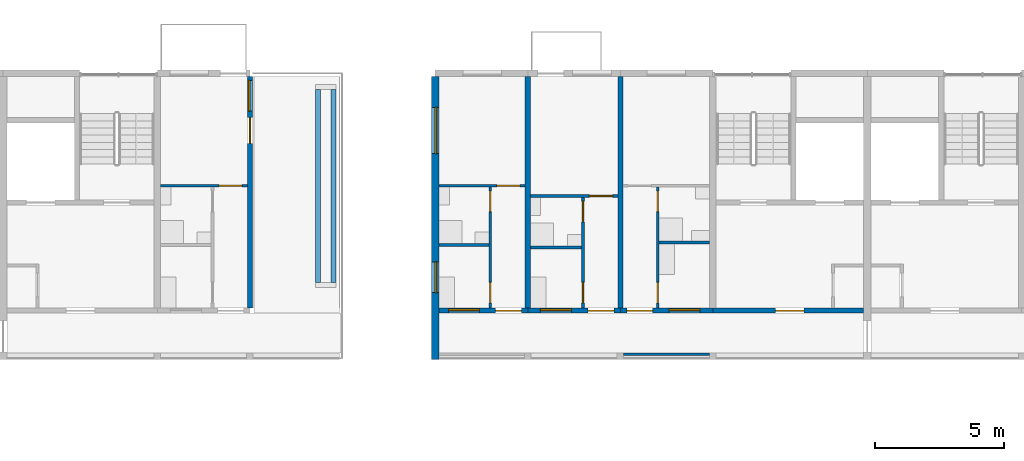
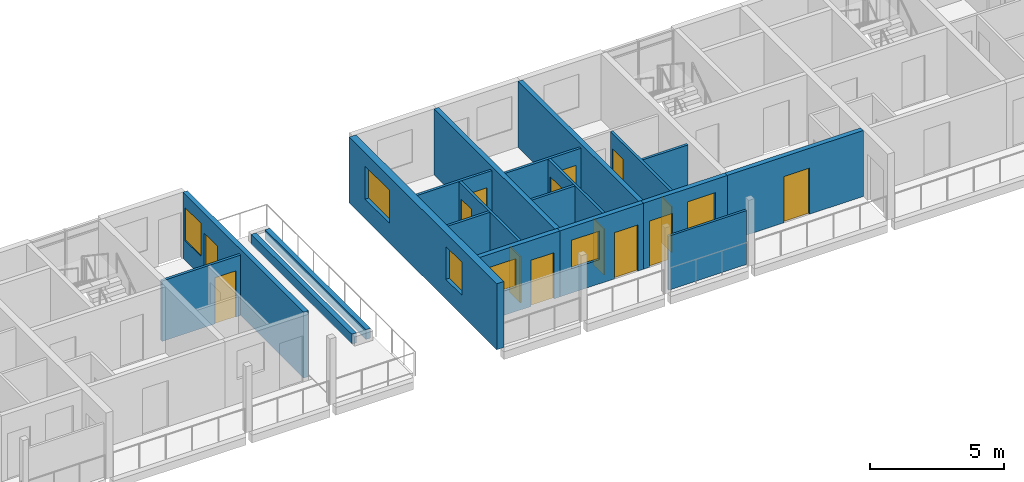
# One storey, part 56 of 94: 20 walls, 14 doors, 6 windows, 20 openings.
"""IFC4 building model written with IfcOpenShell, lengths in metres."""

from ifc_helpers import new_model, si_unit, direction, frame, frame_2d, origin, place, context, subcontext, project, spatial, rectangle, extrude, material, layer, layer_set, type_object, element, fill, save


model = new_model("IFC4")

# Units and contexts
model_context = context("Model", 3, precision=1e-05, world=origin(), true_north=direction((0.0, 1.0)))
body_context = subcontext(model_context, "Body", "Model", "MODEL_VIEW")
ifc_project = project(units=[si_unit("LENGTHUNIT", "METRE"), si_unit("AREAUNIT", "SQUARE_METRE"), si_unit("VOLUMEUNIT", "CUBIC_METRE"), si_unit("PLANEANGLEUNIT", "RADIAN"), si_unit("MASSUNIT", "GRAM", prefix="KILO")], contexts=[model_context])

# Site, building, storey
site_placement = place(None, origin())
site = spatial("IfcSite", under=ifc_project, at=site_placement, CompositionType="ELEMENT")
building_placement = place(site_placement, origin())
building = spatial("IfcBuilding", under=site, at=building_placement, Name="Ridgestep Commons", CompositionType="ELEMENT")
storey_placement = place(building_placement, frame((0.0, 0.0, 24.0)))
storey = spatial("IfcBuildingStorey", under=building, at=storey_placement, Name="L08", CompositionType="ELEMENT", Elevation=24.0)

# Wall, opening, door
ifc_material_1 = material(Name="Concrete C30/37", Category="concrete")
ifc_layer_1 = layer(ifc_material_1, 0.199951171875)
ifc_layer_set_1 = layer_set([ifc_layer_1], Name="Core south wall 200")
wall_type_1 = type_object("IfcWallType", Name="Core south wall 200", PredefinedType="SHEAR", material=ifc_layer_set_1)
wall_1_placement = place(storey_placement, frame((224.800048828125, 67.89990234375, 0.0), z_axis=(0.0, 0.0, 1.0), x_axis=(1.0, 0.0, 0.0)))
wall_1 = element("IfcWall", 1, at=wall_1_placement, inside=storey, type_object=wall_type_1, Name="Core south wall C5C L08", PredefinedType="SHEAR", context=body_context, shape_type="SweptSolid", body=[
    extrude(rectangle(XDim=5.849853515625, YDim=0.199951171875, at=frame_2d((2.9248046875, 0.0))), origin(), (0.0, 0.0, 1.0), 3.0),
])
opening_1_placement = place(wall_1_placement, frame((2.4375, 0.0, 0.0)))
opening_1 = element("IfcOpeningElement", 2, at=opening_1_placement, cuts=wall_1, Name="Opening C5C/08/1", PredefinedType="OPENING", context=body_context, shape_type="SweptSolid", body=[
    extrude(rectangle(XDim=1.10009765625, YDim=2.10009765625, at=frame_2d((0.550048828125, 1.050048828125))), frame((0.0, 0.10986328125, 0.0), z_axis=(0.0, -1.0, 0.0), x_axis=(1.0, 0.0, 0.0)), (0.0, 0.0, 1.0), 0.219970703125),
])
ifc_material_2 = material(Name="Steel fire door", Category="steel")
door_type_1 = type_object("IfcDoorType", Name="Lobby door 1100 x 2100 FD60", OperationType="NOTDEFINED", PredefinedType="DOOR", material=ifc_material_2)
door_1_placement = place(opening_1_placement, origin())
door_1 = element("IfcDoor", 3, at=door_1_placement, inside=storey, type_object=door_type_1, Name="Lobby door C5C/08/1", OperationType="SINGLE_SWING_LEFT", OverallHeight=2.10009765625, OverallWidth=1.10009765625, PredefinedType="DOOR", context=body_context, shape_type="SweptSolid", body=[
    extrude(rectangle(XDim=1.10009765625, YDim=2.10009765625, at=frame_2d((0.550048828125, 1.050048828125))), frame((0.0, 0.02490234375, 0.0), z_axis=(0.0, -1.0, 0.0), x_axis=(1.0, 0.0, 0.0)), (0.0, 0.0, 1.0), 0.050048828125),
])
fill(opening_1, door_1)

# Walls
ifc_material_3 = material(Name="Precast concrete C40/50", Category="concrete")
ifc_layer_2 = layer(ifc_material_3, 0.199951171875)
ifc_layer_set_2 = layer_set([ifc_layer_2], Name="Cross wall 200")
wall_type_2 = type_object("IfcWallType", Name="Cross wall 200", PredefinedType="SHEAR", material=ifc_layer_set_2)
for number, where, z_axis, x_axis, name in (
    (4, (217.60009765625, 68.0, 0.0), (0.0, 0.0, 1.0), (0.0, 1.0, 0.0), "Cross wall C-08-2176"),
    (5, (221.199951171875, 68.0, 0.0), (0.0, 0.0, 1.0), (0.0, 1.0, 0.0), "Cross wall C-08-2212"),
):
    element("IfcWall", number, at=place(storey_placement, frame(where, z_axis=z_axis, x_axis=x_axis)), inside=storey, type_object=wall_type_2, Name=name, PredefinedType="SHEAR", context=body_context, shape_type="SweptSolid", body=[
        extrude(rectangle(XDim=9.0, YDim=0.199951171875, at=frame_2d((4.5, 0.0))), origin(), (0.0, 0.0, 1.0), 3.0),
    ])

# Wall, openings, window, door
ifc_material_4 = material(Name="Precast concrete C40/50", Category="concrete")
ifc_layer_3 = layer(ifc_material_4, 0.199951171875)
ifc_layer_set_3 = layer_set([ifc_layer_3], Name="Exposed cross wall 200")
wall_type_3 = type_object("IfcWallType", Name="Exposed cross wall 200", PredefinedType="SHEAR", material=ifc_layer_set_3)
wall_2_placement = place(storey_placement, frame((206.800048828125, 68.0, 0.0), z_axis=(0.0, 0.0, 1.0), x_axis=(0.0, 1.0, 0.0)))
wall_2 = element("IfcWall", 6, at=wall_2_placement, inside=storey, type_object=wall_type_3, Name="Cross wall C-08-2068", PredefinedType="SHEAR", context=body_context, shape_type="SweptSolid", body=[
    extrude(rectangle(XDim=9.0, YDim=0.199951171875, at=frame_2d((4.5, 0.0))), origin(), (0.0, 0.0, 1.0), 3.0),
])
opening_2_placement = place(wall_2_placement, frame((7.652587890625, 0.0, 0.89990234375)))
opening_2 = element("IfcOpeningElement", 7, at=opening_2_placement, cuts=wall_2, Name="Opening W10", PredefinedType="OPENING", context=body_context, shape_type="SweptSolid", body=[
    extrude(rectangle(XDim=1.199951171875, YDim=1.5, at=frame_2d((0.60009765625, 0.75))), frame((0.0, 0.10986328125, 0.0), z_axis=(0.0, -1.0, 0.0), x_axis=(1.0, 0.0, 0.0)), (0.0, 0.0, 1.0), 0.219970703125),
])
opening_3_placement = place(wall_2_placement, frame((6.405029296875, 0.0, 0.0)))
opening_3 = element("IfcOpeningElement", 8, at=opening_3_placement, cuts=wall_2, Name="Opening C4-08a/5", PredefinedType="OPENING", context=body_context, shape_type="SweptSolid", body=[
    extrude(rectangle(XDim=1.0, YDim=2.10009765625, at=frame_2d((0.5, 1.050048828125))), frame((0.0, 0.10986328125, 0.0), z_axis=(0.0, -1.0, 0.0), x_axis=(1.0, 0.0, 0.0)), (0.0, 0.0, 1.0), 0.219970703125),
])
ifc_material_5 = material(Name="Aluminium 6063-T6 and glass", Category="aluminium")
window_type_1 = type_object("IfcWindowType", Name="Flat window 1200 x 1500", PartitioningType="SINGLE_PANEL", PredefinedType="WINDOW", material=ifc_material_5)
window_1_placement = place(opening_2_placement, origin())
window_1 = element("IfcWindow", 9, at=window_1_placement, inside=storey, type_object=window_type_1, Name="Window C4-08a 3", OverallHeight=1.5, OverallWidth=1.199951171875, PartitioningType="SINGLE_PANEL", PredefinedType="WINDOW", context=body_context, shape_type="SweptSolid", body=[
    extrude(rectangle(XDim=1.199951171875, YDim=1.5, at=frame_2d((0.60009765625, 0.75))), frame((0.0, 0.06005859375, 0.0), z_axis=(0.0, -1.0, 0.0), x_axis=(1.0, 0.0, 0.0)), (0.0, 0.0, 1.0), 0.06005859375),
])
fill(opening_2, window_1)
ifc_material_6 = material(Name="Aluminium and glass", Category="aluminium")
door_type_2 = type_object("IfcDoorType", Name="Terrace door 1000 x 2100", OperationType="NOTDEFINED", PredefinedType="DOOR", material=ifc_material_6)
door_2_placement = place(opening_3_placement, origin())
door_2 = element("IfcDoor", 10, at=door_2_placement, inside=storey, type_object=door_type_2, Name="Terrace door C4-08a/5", OperationType="SINGLE_SWING_LEFT", OverallHeight=2.10009765625, OverallWidth=1.0, PredefinedType="DOOR", context=body_context, shape_type="SweptSolid", body=[
    extrude(rectangle(XDim=1.0, YDim=2.10009765625, at=frame_2d((0.5, 1.050048828125))), frame((0.0, 0.02490234375, 0.0), z_axis=(0.0, -1.0, 0.0), x_axis=(1.0, 0.0, 0.0)), (0.0, 0.0, 1.0), 0.050048828125),
])
fill(opening_3, door_2)

# Wall, openings, windows
ifc_material_7 = material(Name="Precast concrete C40/50", Category="concrete")
ifc_layer_4 = layer(ifc_material_7, 0.300048828125)
ifc_layer_set_4 = layer_set([ifc_layer_4], Name="Exposed division wall 300")
wall_type_4 = type_object("IfcWallType", Name="Exposed division wall 300", PredefinedType="SHEAR", material=ifc_layer_set_4)
wall_3_placement = place(storey_placement, frame((214.0, 66.0, 0.0), z_axis=(0.0, 0.0, 1.0), x_axis=(0.0, 1.0, 0.0)))
wall_3 = element("IfcWall", 11, at=wall_3_placement, inside=storey, type_object=wall_type_4, Name="Cross wall C-08-2140", PredefinedType="SHEAR", context=body_context, shape_type="SweptSolid", body=[
    extrude(rectangle(XDim=11.0, YDim=0.300048828125, at=frame_2d((5.5, 0.0))), origin(), (0.0, 0.0, 1.0), 3.0),
])
opening_4_placement = place(wall_3_placement, frame((2.60009765625, 0.0, 0.89990234375)))
opening_4 = element("IfcOpeningElement", 12, at=opening_4_placement, cuts=wall_3, Name="Opening W10", PredefinedType="OPENING", context=body_context, shape_type="SweptSolid", body=[
    extrude(rectangle(XDim=1.199951171875, YDim=1.5, at=frame_2d((0.60009765625, 0.75))), frame((0.0, 0.159912109375, 0.0), z_axis=(0.0, -1.0, 0.0), x_axis=(1.0, 0.0, 0.0)), (0.0, 0.0, 1.0), 0.320068359375),
])
opening_5_placement = place(wall_3_placement, frame((8.0048828125, 0.0, 0.89990234375)))
opening_5 = element("IfcOpeningElement", 13, at=opening_5_placement, cuts=wall_3, Name="Opening W20", PredefinedType="OPENING", context=body_context, shape_type="SweptSolid", body=[
    extrude(rectangle(XDim=1.800048828125, YDim=1.5, at=frame_2d((0.89990234375, 0.75))), frame((0.0, 0.159912109375, 0.0), z_axis=(0.0, -1.0, 0.0), x_axis=(1.0, 0.0, 0.0)), (0.0, 0.0, 1.0), 0.320068359375),
])
window_2_placement = place(opening_4_placement, origin())
window_2 = element("IfcWindow", 14, at=window_2_placement, inside=storey, type_object=window_type_1, Name="Window C5-08a 3", OverallHeight=1.5, OverallWidth=1.199951171875, PartitioningType="SINGLE_PANEL", PredefinedType="WINDOW", context=body_context, shape_type="SweptSolid", body=[
    extrude(rectangle(XDim=1.199951171875, YDim=1.5, at=frame_2d((0.60009765625, 0.75))), frame((0.0, 0.0, 0.0), z_axis=(0.0, -1.0, 0.0), x_axis=(1.0, 0.0, 0.0)), (0.0, 0.0, 1.0), 0.06005859375),
])
fill(opening_4, window_2)
ifc_material_8 = material(Name="Aluminium 6063-T6 and glass", Category="aluminium")
window_type_2 = type_object("IfcWindowType", Name="Flat window 1800 x 1500", PartitioningType="DOUBLE_PANEL_VERTICAL", PredefinedType="WINDOW", material=ifc_material_8)
window_3_placement = place(opening_5_placement, origin())
window_3 = element("IfcWindow", 15, at=window_3_placement, inside=storey, type_object=window_type_2, Name="Window C5-08a 4", OverallHeight=1.5, OverallWidth=1.800048828125, PartitioningType="SINGLE_PANEL", PredefinedType="WINDOW", context=body_context, shape_type="SweptSolid", body=[
    extrude(rectangle(XDim=1.800048828125, YDim=1.5, at=frame_2d((0.89990234375, 0.75))), frame((0.0, 0.0, 0.0), z_axis=(0.0, -1.0, 0.0), x_axis=(1.0, 0.0, 0.0)), (0.0, 0.0, 1.0), 0.06005859375),
])
fill(opening_5, window_3)

# Wall, opening, door
ifc_material_9 = material(Name="Common brick 110 mm", Category="masonry")
ifc_layer_5 = layer(ifc_material_9, 0.110107421875)
ifc_layer_set_5 = layer_set([ifc_layer_5], Name="Partition 110")
wall_type_5 = type_object("IfcWallType", Name="Partition 110", PredefinedType="PARTITIONING", material=ifc_layer_set_5)
wall_4_placement = place(storey_placement, frame((203.324951171875, 72.7548828125, 0.0), z_axis=(0.0, 0.0, 1.0), x_axis=(1.0, 0.0, 0.0)))
wall_4 = element("IfcWall", 16, at=wall_4_placement, inside=storey, type_object=wall_type_5, Name="Partition C4-08a", PredefinedType="PARTITIONING", context=body_context, shape_type="SweptSolid", body=[
    extrude(rectangle(XDim=3.375, YDim=0.110107421875, at=frame_2d((1.6875, 0.0))), origin(), (0.0, 0.0, 1.0), 2.75),
])
opening_6_placement = place(wall_4_placement, frame((2.27490234375, 0.0, 0.0)))
opening_6 = element("IfcOpeningElement", 17, at=opening_6_placement, cuts=wall_4, Name="Opening C4-08a/4", PredefinedType="OPENING", context=body_context, shape_type="SweptSolid", body=[
    extrude(rectangle(XDim=0.89990234375, YDim=2.10009765625, at=frame_2d((0.449951171875, 1.050048828125))), frame((0.0, 0.06494140625, 0.0), z_axis=(0.0, -1.0, 0.0), x_axis=(1.0, 0.0, 0.0)), (0.0, 0.0, 1.0), 0.130126953125),
])
ifc_material_10 = material(Name="Timber door leaf", Category="wood")
door_type_3 = type_object("IfcDoorType", Name="Internal door 900 x 2100", OperationType="NOTDEFINED", PredefinedType="DOOR", material=ifc_material_10)
door_3_placement = place(opening_6_placement, origin())
door_3 = element("IfcDoor", 18, at=door_3_placement, inside=storey, type_object=door_type_3, Name="Internal door C4-08a/4", OperationType="SINGLE_SWING_LEFT", OverallHeight=2.10009765625, OverallWidth=0.89990234375, PredefinedType="DOOR", context=body_context, shape_type="SweptSolid", body=[
    extrude(rectangle(XDim=0.89990234375, YDim=2.10009765625, at=frame_2d((0.449951171875, 1.050048828125))), frame((0.0, 0.02490234375, 0.0), z_axis=(0.0, -1.0, 0.0), x_axis=(1.0, 0.0, 0.0)), (0.0, 0.0, 1.0), 0.050048828125),
])
fill(opening_6, door_3)

# Wall
wall_5_placement = place(storey_placement, frame((214.14990234375, 70.455078125, 0.0), z_axis=(0.0, 0.0, 1.0), x_axis=(1.0, 0.0, 0.0)))
element("IfcWall", 19, at=wall_5_placement, inside=storey, type_object=wall_type_5, Name="Partition C5-08a", PredefinedType="PARTITIONING", context=body_context, shape_type="SweptSolid", body=[
    extrude(rectangle(XDim=1.940185546875, YDim=0.110107421875, at=frame_2d((0.97021484375, 0.0))), origin(), (0.0, 0.0, 1.0), 2.800048828125),
])

# Wall, openings, doors
wall_6_placement = place(storey_placement, frame((216.14501953125, 68.0, 0.0), z_axis=(0.0, 0.0, 1.0), x_axis=(0.0, 1.0, 0.0)))
wall_6 = element("IfcWall", 20, at=wall_6_placement, inside=storey, type_object=wall_type_5, Name="Partition C5-08a", PredefinedType="PARTITIONING", context=body_context, shape_type="SweptSolid", body=[
    extrude(rectangle(XDim=4.699951171875, YDim=0.110107421875, at=frame_2d((2.35009765625, 0.0))), origin(), (0.0, 0.0, 1.0), 2.800048828125),
])
opening_7_placement = place(wall_6_placement, frame((0.199951171875, 0.0, 0.0)))
opening_7 = element("IfcOpeningElement", 21, at=opening_7_placement, cuts=wall_6, Name="Opening C5-08a/2", PredefinedType="OPENING", context=body_context, shape_type="SweptSolid", body=[
    extrude(rectangle(XDim=0.800048828125, YDim=2.10009765625, at=frame_2d((0.39990234375, 1.050048828125))), frame((0.0, 0.06494140625, 0.0), z_axis=(0.0, -1.0, 0.0), x_axis=(1.0, 0.0, 0.0)), (0.0, 0.0, 1.0), 0.130126953125),
])
opening_8_placement = place(wall_6_placement, frame((3.75, 0.0, 0.0)))
opening_8 = element("IfcOpeningElement", 22, at=opening_8_placement, cuts=wall_6, Name="Opening C5-08a/3", PredefinedType="OPENING", context=body_context, shape_type="SweptSolid", body=[
    extrude(rectangle(XDim=0.800048828125, YDim=2.10009765625, at=frame_2d((0.39990234375, 1.050048828125))), frame((0.0, 0.06494140625, 0.0), z_axis=(0.0, -1.0, 0.0), x_axis=(1.0, 0.0, 0.0)), (0.0, 0.0, 1.0), 0.130126953125),
])
ifc_material_11 = material(Name="Timber door leaf", Category="wood")
door_type_4 = type_object("IfcDoorType", Name="Internal door 800 x 2100", OperationType="NOTDEFINED", PredefinedType="DOOR", material=ifc_material_11)
door_4_placement = place(opening_7_placement, origin())
door_4 = element("IfcDoor", 23, at=door_4_placement, inside=storey, type_object=door_type_4, Name="Internal door C5-08a/2", OperationType="SINGLE_SWING_LEFT", OverallHeight=2.10009765625, OverallWidth=0.800048828125, PredefinedType="DOOR", context=body_context, shape_type="SweptSolid", body=[
    extrude(rectangle(XDim=0.800048828125, YDim=2.10009765625, at=frame_2d((0.39990234375, 1.050048828125))), frame((0.0, 0.02490234375, 0.0), z_axis=(0.0, -1.0, 0.0), x_axis=(1.0, 0.0, 0.0)), (0.0, 0.0, 1.0), 0.050048828125),
])
fill(opening_7, door_4)
door_5_placement = place(opening_8_placement, origin())
door_5 = element("IfcDoor", 24, at=door_5_placement, inside=storey, type_object=door_type_4, Name="Internal door C5-08a/3", OperationType="SINGLE_SWING_RIGHT", OverallHeight=2.10009765625, OverallWidth=0.800048828125, PredefinedType="DOOR", context=body_context, shape_type="SweptSolid", body=[
    extrude(rectangle(XDim=0.800048828125, YDim=2.10009765625, at=frame_2d((0.39990234375, 1.050048828125))), frame((0.0, 0.02490234375, 0.0), z_axis=(0.0, -1.0, 0.0), x_axis=(1.0, 0.0, 0.0)), (0.0, 0.0, 1.0), 0.050048828125),
])
fill(opening_8, door_5)

# Wall, opening, door
wall_7_placement = place(storey_placement, frame((214.14990234375, 72.7548828125, 0.0), z_axis=(0.0, 0.0, 1.0), x_axis=(1.0, 0.0, 0.0)))
wall_7 = element("IfcWall", 25, at=wall_7_placement, inside=storey, type_object=wall_type_5, Name="Partition C5-08a", PredefinedType="PARTITIONING", context=body_context, shape_type="SweptSolid", body=[
    extrude(rectangle(XDim=3.35009765625, YDim=0.110107421875, at=frame_2d((1.675048828125, 0.0))), origin(), (0.0, 0.0, 1.0), 2.800048828125),
])
opening_9_placement = place(wall_7_placement, frame((2.25, 0.0, 0.0)))
opening_9 = element("IfcOpeningElement", 26, at=opening_9_placement, cuts=wall_7, Name="Opening C5-08a/4", PredefinedType="OPENING", context=body_context, shape_type="SweptSolid", body=[
    extrude(rectangle(XDim=0.89990234375, YDim=2.10009765625, at=frame_2d((0.449951171875, 1.050048828125))), frame((0.0, 0.06494140625, 0.0), z_axis=(0.0, -1.0, 0.0), x_axis=(1.0, 0.0, 0.0)), (0.0, 0.0, 1.0), 0.130126953125),
])
door_6_placement = place(opening_9_placement, origin())
door_6 = element("IfcDoor", 27, at=door_6_placement, inside=storey, type_object=door_type_3, Name="Internal door C5-08a/4", OperationType="SINGLE_SWING_LEFT", OverallHeight=2.10009765625, OverallWidth=0.89990234375, PredefinedType="DOOR", context=body_context, shape_type="SweptSolid", body=[
    extrude(rectangle(XDim=0.89990234375, YDim=2.10009765625, at=frame_2d((0.449951171875, 1.050048828125))), frame((0.0, 0.02490234375, 0.0), z_axis=(0.0, -1.0, 0.0), x_axis=(1.0, 0.0, 0.0)), (0.0, 0.0, 1.0), 0.050048828125),
])
fill(opening_9, door_6)

# Wall
wall_8_placement = place(storey_placement, frame((217.699951171875, 70.35498046875, 0.0), z_axis=(0.0, 0.0, 1.0), x_axis=(1.0, 0.0, 0.0)))
element("IfcWall", 28, at=wall_8_placement, inside=storey, type_object=wall_type_5, Name="Partition C5-08b", PredefinedType="PARTITIONING", context=body_context, shape_type="SweptSolid", body=[
    extrude(rectangle(XDim=1.989990234375, YDim=0.110107421875, at=frame_2d((0.9951171875, 0.0))), origin(), (0.0, 0.0, 1.0), 2.800048828125),
])

# Wall, openings, doors
wall_9_placement = place(storey_placement, frame((219.7451171875, 68.0, 0.0), z_axis=(0.0, 0.0, 1.0), x_axis=(0.0, 1.0, 0.0)))
wall_9 = element("IfcWall", 29, at=wall_9_placement, inside=storey, type_object=wall_type_5, Name="Partition C5-08b", PredefinedType="PARTITIONING", context=body_context, shape_type="SweptSolid", body=[
    extrude(rectangle(XDim=4.300048828125, YDim=0.110107421875, at=frame_2d((2.14990234375, 0.0))), origin(), (0.0, 0.0, 1.0), 2.800048828125),
])
opening_10_placement = place(wall_9_placement, frame((0.199951171875, 0.0, 0.0)))
opening_10 = element("IfcOpeningElement", 30, at=opening_10_placement, cuts=wall_9, Name="Opening C5-08b/2", PredefinedType="OPENING", context=body_context, shape_type="SweptSolid", body=[
    extrude(rectangle(XDim=0.800048828125, YDim=2.10009765625, at=frame_2d((0.39990234375, 1.050048828125))), frame((0.0, 0.06494140625, 0.0), z_axis=(0.0, -1.0, 0.0), x_axis=(1.0, 0.0, 0.0)), (0.0, 0.0, 1.0), 0.130126953125),
])
opening_11_placement = place(wall_9_placement, frame((3.35009765625, 0.0, 0.0)))
opening_11 = element("IfcOpeningElement", 31, at=opening_11_placement, cuts=wall_9, Name="Opening C5-08b/3", PredefinedType="OPENING", context=body_context, shape_type="SweptSolid", body=[
    extrude(rectangle(XDim=0.800048828125, YDim=2.10009765625, at=frame_2d((0.39990234375, 1.050048828125))), frame((0.0, 0.06494140625, 0.0), z_axis=(0.0, -1.0, 0.0), x_axis=(1.0, 0.0, 0.0)), (0.0, 0.0, 1.0), 0.130126953125),
])
door_7_placement = place(opening_10_placement, origin())
door_7 = element("IfcDoor", 32, at=door_7_placement, inside=storey, type_object=door_type_4, Name="Internal door C5-08b/2", OperationType="SINGLE_SWING_LEFT", OverallHeight=2.10009765625, OverallWidth=0.800048828125, PredefinedType="DOOR", context=body_context, shape_type="SweptSolid", body=[
    extrude(rectangle(XDim=0.800048828125, YDim=2.10009765625, at=frame_2d((0.39990234375, 1.050048828125))), frame((0.0, 0.02490234375, 0.0), z_axis=(0.0, -1.0, 0.0), x_axis=(1.0, 0.0, 0.0)), (0.0, 0.0, 1.0), 0.050048828125),
])
fill(opening_10, door_7)
door_8_placement = place(opening_11_placement, origin())
door_8 = element("IfcDoor", 33, at=door_8_placement, inside=storey, type_object=door_type_4, Name="Internal door C5-08b/3", OperationType="SINGLE_SWING_RIGHT", OverallHeight=2.10009765625, OverallWidth=0.800048828125, PredefinedType="DOOR", context=body_context, shape_type="SweptSolid", body=[
    extrude(rectangle(XDim=0.800048828125, YDim=2.10009765625, at=frame_2d((0.39990234375, 1.050048828125))), frame((0.0, 0.02490234375, 0.0), z_axis=(0.0, -1.0, 0.0), x_axis=(1.0, 0.0, 0.0)), (0.0, 0.0, 1.0), 0.050048828125),
])
fill(opening_11, door_8)

# Wall, opening, door
wall_10_placement = place(storey_placement, frame((217.699951171875, 72.35498046875, 0.0), z_axis=(0.0, 0.0, 1.0), x_axis=(1.0, 0.0, 0.0)))
wall_10 = element("IfcWall", 34, at=wall_10_placement, inside=storey, type_object=wall_type_5, Name="Partition C5-08b", PredefinedType="PARTITIONING", context=body_context, shape_type="SweptSolid", body=[
    extrude(rectangle(XDim=3.400146484375, YDim=0.110107421875, at=frame_2d((1.7001953125, 0.0))), origin(), (0.0, 0.0, 1.0), 2.800048828125),
])
opening_12_placement = place(wall_10_placement, frame((2.300048828125, 0.0, 0.0)))
opening_12 = element("IfcOpeningElement", 35, at=opening_12_placement, cuts=wall_10, Name="Opening C5-08b/4", PredefinedType="OPENING", context=body_context, shape_type="SweptSolid", body=[
    extrude(rectangle(XDim=0.89990234375, YDim=2.10009765625, at=frame_2d((0.449951171875, 1.050048828125))), frame((0.0, 0.06494140625, 0.0), z_axis=(0.0, -1.0, 0.0), x_axis=(1.0, 0.0, 0.0)), (0.0, 0.0, 1.0), 0.130126953125),
])
door_9_placement = place(opening_12_placement, origin())
door_9 = element("IfcDoor", 36, at=door_9_placement, inside=storey, type_object=door_type_3, Name="Internal door C5-08b/4", OperationType="SINGLE_SWING_LEFT", OverallHeight=2.10009765625, OverallWidth=0.89990234375, PredefinedType="DOOR", context=body_context, shape_type="SweptSolid", body=[
    extrude(rectangle(XDim=0.89990234375, YDim=2.10009765625, at=frame_2d((0.449951171875, 1.050048828125))), frame((0.0, 0.02490234375, 0.0), z_axis=(0.0, -1.0, 0.0), x_axis=(1.0, 0.0, 0.0)), (0.0, 0.0, 1.0), 0.050048828125),
])
fill(opening_12, door_9)

# Wall, openings, doors
wall_11_placement = place(storey_placement, frame((222.655029296875, 68.0, 0.0), z_axis=(0.0, 0.0, 1.0), x_axis=(0.0, 1.0, 0.0)))
wall_11 = element("IfcWall", 37, at=wall_11_placement, inside=storey, type_object=wall_type_5, Name="Partition C5-08c", PredefinedType="PARTITIONING", context=body_context, shape_type="SweptSolid", body=[
    extrude(rectangle(XDim=4.699951171875, YDim=0.110107421875, at=frame_2d((2.35009765625, 0.0))), origin(), (0.0, 0.0, 1.0), 2.800048828125),
])
opening_13_placement = place(wall_11_placement, frame((0.199951171875, 0.0, 0.0)))
opening_13 = element("IfcOpeningElement", 38, at=opening_13_placement, cuts=wall_11, Name="Opening C5-08c/2", PredefinedType="OPENING", context=body_context, shape_type="SweptSolid", body=[
    extrude(rectangle(XDim=0.800048828125, YDim=2.10009765625, at=frame_2d((0.39990234375, 1.050048828125))), frame((0.0, 0.06494140625, 0.0), z_axis=(0.0, -1.0, 0.0), x_axis=(1.0, 0.0, 0.0)), (0.0, 0.0, 1.0), 0.130126953125),
])
opening_14_placement = place(wall_11_placement, frame((3.75, 0.0, 0.0)))
opening_14 = element("IfcOpeningElement", 39, at=opening_14_placement, cuts=wall_11, Name="Opening C5-08c/3", PredefinedType="OPENING", context=body_context, shape_type="SweptSolid", body=[
    extrude(rectangle(XDim=0.800048828125, YDim=2.10009765625, at=frame_2d((0.39990234375, 1.050048828125))), frame((0.0, 0.06494140625, 0.0), z_axis=(0.0, -1.0, 0.0), x_axis=(1.0, 0.0, 0.0)), (0.0, 0.0, 1.0), 0.130126953125),
])
door_10_placement = place(opening_13_placement, origin())
door_10 = element("IfcDoor", 40, at=door_10_placement, inside=storey, type_object=door_type_4, Name="Internal door C5-08c/2", OperationType="SINGLE_SWING_RIGHT", OverallHeight=2.10009765625, OverallWidth=0.800048828125, PredefinedType="DOOR", context=body_context, shape_type="SweptSolid", body=[
    extrude(rectangle(XDim=0.800048828125, YDim=2.10009765625, at=frame_2d((0.39990234375, 1.050048828125))), frame((0.0, 0.02490234375, 0.0), z_axis=(0.0, -1.0, 0.0), x_axis=(1.0, 0.0, 0.0)), (0.0, 0.0, 1.0), 0.050048828125),
])
fill(opening_13, door_10)
door_11_placement = place(opening_14_placement, origin())
door_11 = element("IfcDoor", 41, at=door_11_placement, inside=storey, type_object=door_type_4, Name="Internal door C5-08c/3", OperationType="SINGLE_SWING_LEFT", OverallHeight=2.10009765625, OverallWidth=0.800048828125, PredefinedType="DOOR", context=body_context, shape_type="SweptSolid", body=[
    extrude(rectangle(XDim=0.800048828125, YDim=2.10009765625, at=frame_2d((0.39990234375, 1.050048828125))), frame((0.0, 0.02490234375, 0.0), z_axis=(0.0, -1.0, 0.0), x_axis=(1.0, 0.0, 0.0)), (0.0, 0.0, 1.0), 0.050048828125),
])
fill(opening_14, door_11)

# Walls
wall_12_placement = place(storey_placement, frame((222.7099609375, 70.554931640625, 0.0), z_axis=(0.0, 0.0, 1.0), x_axis=(1.0, 0.0, 0.0)))
element("IfcWall", 42, at=wall_12_placement, inside=storey, type_object=wall_type_5, Name="Partition C5-08c", PredefinedType="PARTITIONING", context=body_context, shape_type="SweptSolid", body=[
    extrude(rectangle(XDim=1.965087890625, YDim=0.110107421875, at=frame_2d((0.982421875, 0.0))), origin(), (0.0, 0.0, 1.0), 2.800048828125),
])
ifc_material_12 = material(Name="Precast concrete C30/37", Category="concrete")
ifc_layer_6 = layer(ifc_material_12, 0.10009765625)
ifc_layer_set_6 = layer_set([ifc_layer_6], Name="Perforated gallery screen 3350 x 2450 x 100")
wall_type_6 = type_object("IfcWallType", Name="Perforated gallery screen 3350 x 2450 x 100", PredefinedType="SOLIDWALL", material=ifc_layer_set_6)
wall_13_placement = place(storey_placement, frame((221.324951171875, 66.199951171875, 0.0), z_axis=(0.0, 0.0, 1.0), x_axis=(1.0, 0.0, 0.0)))
element("IfcWall", 43, at=wall_13_placement, inside=storey, type_object=wall_type_6, Name="Gallery screen C5T3 08", PredefinedType="SOLIDWALL", context=body_context, shape_type="SweptSolid", body=[
    extrude(rectangle(XDim=3.35009765625, YDim=0.10009765625, at=frame_2d((1.675048828125, 0.0))), origin(), (0.0, 0.0, 1.0), 2.449951171875),
])
ifc_material_13 = material(Name="Facing brick", Category="masonry")
ifc_layer_7 = layer(ifc_material_13, 0.199951171875)
ifc_layer_set_7 = layer_set([ifc_layer_7], Name="Planter wall 200")
wall_type_7 = type_object("IfcWallType", Name="Planter wall 200", PredefinedType="SOLIDWALL", material=ifc_layer_set_7)
for number, where, z_axis, x_axis, name in (
    (44, (209.449951171875, 69.0, 0.010009765625), (0.0, 0.0, 1.0), (0.0, 1.0, 0.0), "Planter wall C4R2W"),
    (45, (210.050048828125, 69.0, 0.010009765625), (0.0, 0.0, 1.0), (0.0, 1.0, 0.0), "Planter wall C4R2E"),
):
    element("IfcWall", number, at=place(storey_placement, frame(where, z_axis=z_axis, x_axis=x_axis)), inside=storey, type_object=wall_type_7, Name=name, PredefinedType="SOLIDWALL", context=body_context, shape_type="SweptSolid", body=[
        extrude(rectangle(XDim=7.5, YDim=0.199951171875, at=frame_2d((3.75, 0.0))), origin(), (0.0, 0.0, 1.0), 0.449951171875),
    ])

# Wall, openings, door, window
ifc_material_14 = material(Name="Precast concrete C40/50", Category="concrete")
ifc_layer_8 = layer(ifc_material_14, 0.199951171875)
ifc_layer_set_8 = layer_set([ifc_layer_8], Name="South facade panel 200")
wall_type_8 = type_object("IfcWallType", Name="South facade panel 200", PredefinedType="SOLIDWALL", material=ifc_layer_set_8)
wall_14_placement = place(storey_placement, frame((214.14990234375, 67.89990234375, 0.0), z_axis=(0.0, 0.0, 1.0), x_axis=(1.0, 0.0, 0.0)))
wall_14 = element("IfcWall", 46, at=wall_14_placement, inside=storey, type_object=wall_type_8, Name="South panel C5T1 L08", PredefinedType="SOLIDWALL", context=body_context, shape_type="SweptSolid", body=[
    extrude(rectangle(XDim=3.4501953125, YDim=0.199951171875, at=frame_2d((1.72509765625, 0.0))), origin(), (0.0, 0.0, 1.0), 3.0),
])
opening_15_placement = place(wall_14_placement, frame((0.3701171875, 0.0, 1.10009765625)))
opening_15 = element("IfcOpeningElement", 47, at=opening_15_placement, cuts=wall_14, Name="Opening W08", PredefinedType="OPENING", context=body_context, shape_type="SweptSolid", body=[
    extrude(rectangle(XDim=1.199951171875, YDim=1.300048828125, at=frame_2d((0.60009765625, 0.64990234375))), frame((0.0, 0.10986328125, 0.0), z_axis=(0.0, -1.0, 0.0), x_axis=(1.0, 0.0, 0.0)), (0.0, 0.0, 1.0), 0.219970703125),
])
opening_16_placement = place(wall_14_placement, frame((2.199951171875, 0.0, 0.0)))
opening_16 = element("IfcOpeningElement", 48, at=opening_16_placement, cuts=wall_14, Name="Opening C5-08a/1", PredefinedType="OPENING", context=body_context, shape_type="SweptSolid", body=[
    extrude(rectangle(XDim=1.0, YDim=2.10009765625, at=frame_2d((0.5, 1.050048828125))), frame((0.0, 0.10986328125, 0.0), z_axis=(0.0, -1.0, 0.0), x_axis=(1.0, 0.0, 0.0)), (0.0, 0.0, 1.0), 0.219970703125),
])
ifc_material_15 = material(Name="Timber door leaf", Category="wood")
door_type_5 = type_object("IfcDoorType", Name="Flat entrance door 1000 x 2100 FD30S", OperationType="NOTDEFINED", PredefinedType="DOOR", material=ifc_material_15)
door_12_placement = place(opening_16_placement, origin())
door_12 = element("IfcDoor", 49, at=door_12_placement, inside=storey, type_object=door_type_5, Name="Flat entrance door C5-08a/1", OperationType="SINGLE_SWING_RIGHT", OverallHeight=2.10009765625, OverallWidth=1.0, PredefinedType="DOOR", context=body_context, shape_type="SweptSolid", body=[
    extrude(rectangle(XDim=1.0, YDim=2.10009765625, at=frame_2d((0.5, 1.050048828125))), frame((0.0, 0.02490234375, 0.0), z_axis=(0.0, -1.0, 0.0), x_axis=(1.0, 0.0, 0.0)), (0.0, 0.0, 1.0), 0.050048828125),
])
fill(opening_16, door_12)
ifc_material_16 = material(Name="Aluminium 6063-T6 and glass", Category="aluminium")
window_type_3 = type_object("IfcWindowType", Name="Flat window 1200 x 1300", PartitioningType="SINGLE_PANEL", PredefinedType="WINDOW", material=ifc_material_16)
window_4_placement = place(opening_15_placement, origin())
window_4 = element("IfcWindow", 50, at=window_4_placement, inside=storey, type_object=window_type_3, Name="Window C5-08a 1", OverallHeight=1.300048828125, OverallWidth=1.199951171875, PartitioningType="SINGLE_PANEL", PredefinedType="WINDOW", context=body_context, shape_type="SweptSolid", body=[
    extrude(rectangle(XDim=1.199951171875, YDim=1.300048828125, at=frame_2d((0.60009765625, 0.64990234375))), frame((0.0, 0.06005859375, 0.0), z_axis=(0.0, -1.0, 0.0), x_axis=(1.0, 0.0, 0.0)), (0.0, 0.0, 1.0), 0.06005859375),
])
fill(opening_15, window_4)

wall_15_placement = place(storey_placement, frame((217.60009765625, 67.89990234375, 0.0), z_axis=(0.0, 0.0, 1.0), x_axis=(1.0, 0.0, 0.0)))
wall_15 = element("IfcWall", 51, at=wall_15_placement, inside=storey, type_object=wall_type_8, Name="South panel C5T2 L08", PredefinedType="SOLIDWALL", context=body_context, shape_type="SweptSolid", body=[
    extrude(rectangle(XDim=3.599853515625, YDim=0.199951171875, at=frame_2d((1.7998046875, 0.0))), origin(), (0.0, 0.0, 1.0), 3.0),
])
opening_17_placement = place(wall_15_placement, frame((0.4951171875, 0.0, 1.10009765625)))
opening_17 = element("IfcOpeningElement", 52, at=opening_17_placement, cuts=wall_15, Name="Opening W08", PredefinedType="OPENING", context=body_context, shape_type="SweptSolid", body=[
    extrude(rectangle(XDim=1.199951171875, YDim=1.300048828125, at=frame_2d((0.60009765625, 0.64990234375))), frame((0.0, 0.10986328125, 0.0), z_axis=(0.0, -1.0, 0.0), x_axis=(1.0, 0.0, 0.0)), (0.0, 0.0, 1.0), 0.219970703125),
])
opening_18_placement = place(wall_15_placement, frame((2.35009765625, 0.0, 0.0)))
opening_18 = element("IfcOpeningElement", 53, at=opening_18_placement, cuts=wall_15, Name="Opening C5-08b/1", PredefinedType="OPENING", context=body_context, shape_type="SweptSolid", body=[
    extrude(rectangle(XDim=1.0, YDim=2.10009765625, at=frame_2d((0.5, 1.050048828125))), frame((0.0, 0.10986328125, 0.0), z_axis=(0.0, -1.0, 0.0), x_axis=(1.0, 0.0, 0.0)), (0.0, 0.0, 1.0), 0.219970703125),
])
door_13_placement = place(opening_18_placement, origin())
door_13 = element("IfcDoor", 54, at=door_13_placement, inside=storey, type_object=door_type_5, Name="Flat entrance door C5-08b/1", OperationType="SINGLE_SWING_RIGHT", OverallHeight=2.10009765625, OverallWidth=1.0, PredefinedType="DOOR", context=body_context, shape_type="SweptSolid", body=[
    extrude(rectangle(XDim=1.0, YDim=2.10009765625, at=frame_2d((0.5, 1.050048828125))), frame((0.0, 0.02490234375, 0.0), z_axis=(0.0, -1.0, 0.0), x_axis=(1.0, 0.0, 0.0)), (0.0, 0.0, 1.0), 0.050048828125),
])
fill(opening_18, door_13)
window_5_placement = place(opening_17_placement, origin())
window_5 = element("IfcWindow", 55, at=window_5_placement, inside=storey, type_object=window_type_3, Name="Window C5-08b 1", OverallHeight=1.300048828125, OverallWidth=1.199951171875, PartitioningType="SINGLE_PANEL", PredefinedType="WINDOW", context=body_context, shape_type="SweptSolid", body=[
    extrude(rectangle(XDim=1.199951171875, YDim=1.300048828125, at=frame_2d((0.60009765625, 0.64990234375))), frame((0.0, 0.06005859375, 0.0), z_axis=(0.0, -1.0, 0.0), x_axis=(1.0, 0.0, 0.0)), (0.0, 0.0, 1.0), 0.06005859375),
])
fill(opening_17, window_5)

wall_16_placement = place(storey_placement, frame((221.199951171875, 67.89990234375, 0.0), z_axis=(0.0, 0.0, 1.0), x_axis=(1.0, 0.0, 0.0)))
wall_16 = element("IfcWall", 56, at=wall_16_placement, inside=storey, type_object=wall_type_8, Name="South panel C5T3 L08", PredefinedType="SOLIDWALL", context=body_context, shape_type="SweptSolid", body=[
    extrude(rectangle(XDim=3.60009765625, YDim=0.199951171875, at=frame_2d((1.800048828125, 0.0))), origin(), (0.0, 0.0, 1.0), 3.0),
])
opening_19_placement = place(wall_16_placement, frame((1.892578125, 0.0, 1.10009765625)))
opening_19 = element("IfcOpeningElement", 57, at=opening_19_placement, cuts=wall_16, Name="Opening W08", PredefinedType="OPENING", context=body_context, shape_type="SweptSolid", body=[
    extrude(rectangle(XDim=1.199951171875, YDim=1.300048828125, at=frame_2d((0.60009765625, 0.64990234375))), frame((0.0, 0.10986328125, 0.0), z_axis=(0.0, -1.0, 0.0), x_axis=(1.0, 0.0, 0.0)), (0.0, 0.0, 1.0), 0.219970703125),
])
opening_20_placement = place(wall_16_placement, frame((0.25, 0.0, 0.0)))
opening_20 = element("IfcOpeningElement", 58, at=opening_20_placement, cuts=wall_16, Name="Opening C5-08c/1", PredefinedType="OPENING", context=body_context, shape_type="SweptSolid", body=[
    extrude(rectangle(XDim=1.0, YDim=2.10009765625, at=frame_2d((0.5, 1.050048828125))), frame((0.0, 0.10986328125, 0.0), z_axis=(0.0, -1.0, 0.0), x_axis=(1.0, 0.0, 0.0)), (0.0, 0.0, 1.0), 0.219970703125),
])
door_14_placement = place(opening_20_placement, origin())
door_14 = element("IfcDoor", 59, at=door_14_placement, inside=storey, type_object=door_type_5, Name="Flat entrance door C5-08c/1", OperationType="SINGLE_SWING_LEFT", OverallHeight=2.10009765625, OverallWidth=1.0, PredefinedType="DOOR", context=body_context, shape_type="SweptSolid", body=[
    extrude(rectangle(XDim=1.0, YDim=2.10009765625, at=frame_2d((0.5, 1.050048828125))), frame((0.0, 0.02490234375, 0.0), z_axis=(0.0, -1.0, 0.0), x_axis=(1.0, 0.0, 0.0)), (0.0, 0.0, 1.0), 0.050048828125),
])
fill(opening_20, door_14)
window_6_placement = place(opening_19_placement, origin())
window_6 = element("IfcWindow", 60, at=window_6_placement, inside=storey, type_object=window_type_3, Name="Window C5-08c 1", OverallHeight=1.300048828125, OverallWidth=1.199951171875, PartitioningType="SINGLE_PANEL", PredefinedType="WINDOW", context=body_context, shape_type="SweptSolid", body=[
    extrude(rectangle(XDim=1.199951171875, YDim=1.300048828125, at=frame_2d((0.60009765625, 0.64990234375))), frame((0.0, 0.06005859375, 0.0), z_axis=(0.0, -1.0, 0.0), x_axis=(1.0, 0.0, 0.0)), (0.0, 0.0, 1.0), 0.06005859375),
])
fill(opening_19, window_6)

save(model, "model.ifc")
